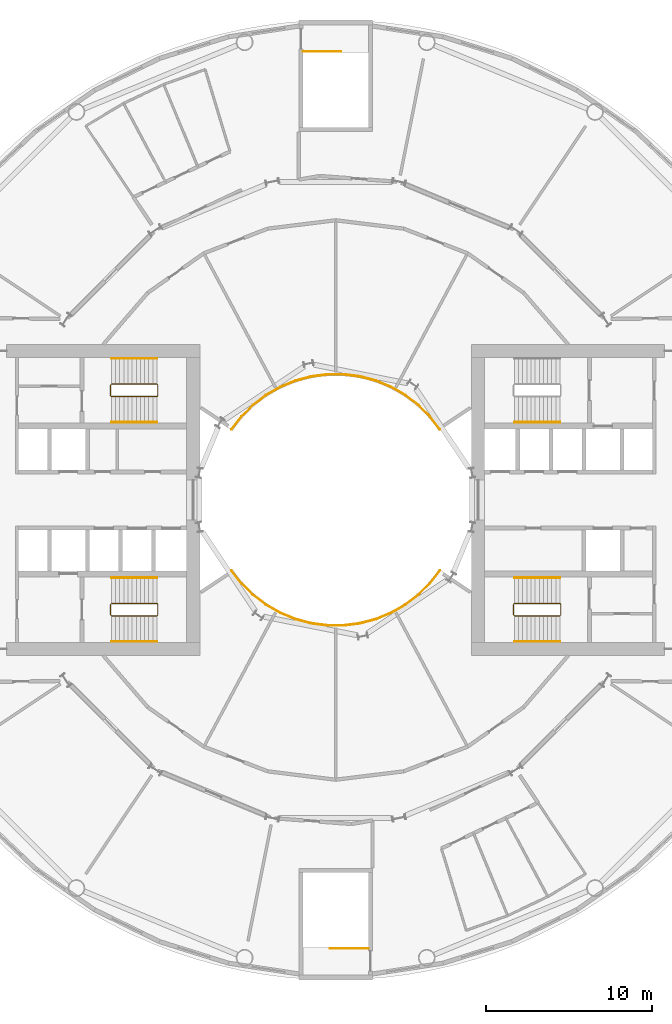
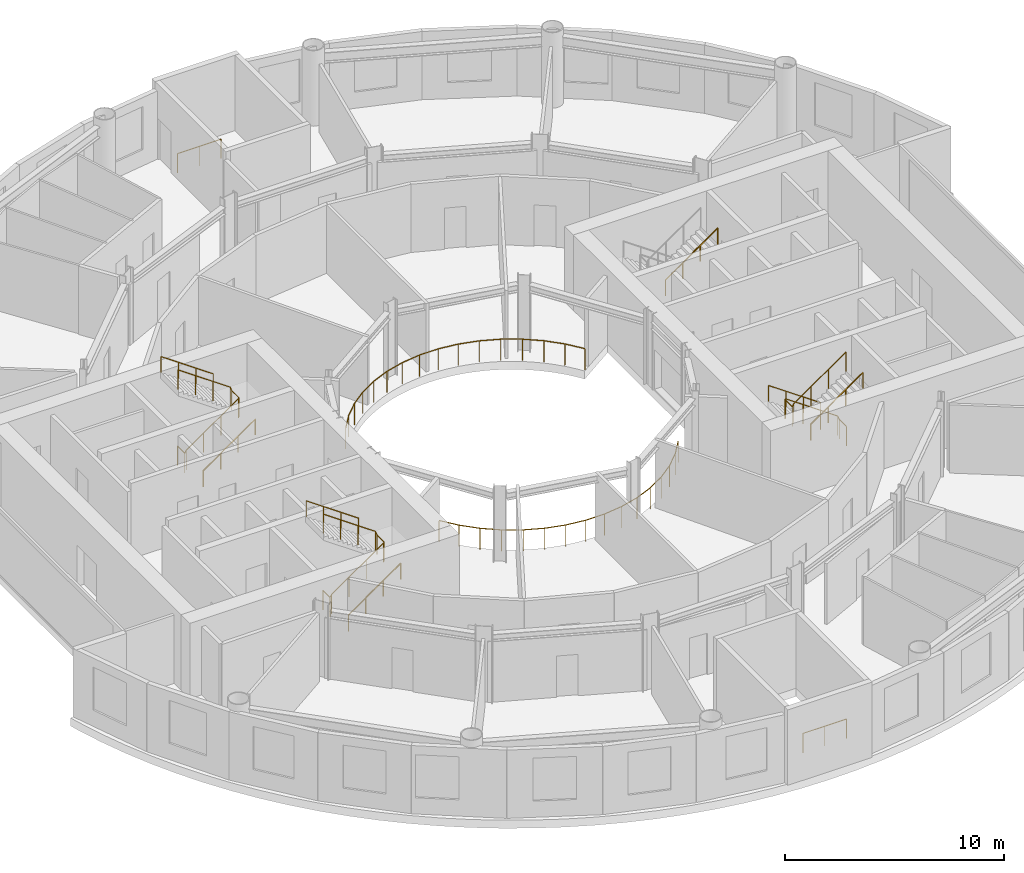
# One storey, part 12 of 13: 14 railings.
"""IFC4 building model written with IfcOpenShell, lengths in metres."""

from ifc_helpers import new_model, si_unit, direction, frame, origin, origin_2d, place, context, subcontext, project, spatial, circle, extrude, material, type_object, element, save


model = new_model("IFC4")

# Units and contexts
model_context = context("Model", 3, precision=1e-05, world=origin(), true_north=direction((0.0, 1.0)))
body_context = subcontext(model_context, "Body", "Model", "MODEL_VIEW")
ifc_project = project(units=[si_unit("LENGTHUNIT", "METRE"), si_unit("AREAUNIT", "SQUARE_METRE"), si_unit("VOLUMEUNIT", "CUBIC_METRE"), si_unit("PLANEANGLEUNIT", "RADIAN"), si_unit("MASSUNIT", "GRAM", prefix="KILO")], contexts=[model_context])

# Site, building, storey
site_placement = place(None, origin())
site = spatial("IfcSite", under=ifc_project, at=site_placement, CompositionType="ELEMENT")
building_placement = place(site_placement, origin())
building = spatial("IfcBuilding", under=site, at=building_placement, Name="Maasbend Ring Residences", CompositionType="ELEMENT")
storey_placement = place(building_placement, frame((0.0, 0.0, 14.10009765625)))
storey = spatial("IfcBuildingStorey", under=building, at=storey_placement, Name="L03", CompositionType="ELEMENT", Elevation=14.10009765625)

# Railings
ifc_material_1 = material(Name="Stainless steel 316 and glass", Category="steel")
railing_type_1 = type_object("IfcRailingType", Name="RL-GUARD", PredefinedType="GUARDRAIL", material=ifc_material_1)
railing_1_placement = place(storey_placement, frame((6.296875, 4.25537109375, 0.0)))
element("IfcRailing", 1, at=railing_1_placement, inside=storey, type_object=railing_type_1, Name="Well guard 1", PredefinedType="GUARDRAIL", context=body_context, shape_type="SweptSolid", body=[
    extrude(circle(Radius=0.02490234375, at=origin_2d()), frame((0.0, 0.0, 1.1748046875), z_axis=(-0.61260637429, 0.790388151593, 0.0), x_axis=(-0.790388151593, -0.61260637429, 0.0)), (0.0, 0.0, 1.0), 0.98876953125),
    extrude(circle(Radius=0.02490234375, at=origin_2d()), frame((-0.605712890625, 0.781494140625, 1.1748046875), z_axis=(-0.710063286319, 0.704137862511, 0.0), x_axis=(-0.704137862511, -0.710063286319, 0.0)), (0.0, 0.0, 1.0), 0.98876953125),
    extrude(circle(Radius=0.02490234375, at=origin_2d()), frame((-1.307861328125, 1.477783203125, 1.1748046875), z_axis=(-0.795414718638, 0.606065528944, 0.0), x_axis=(-0.606065528944, -0.795414718638, 0.0)), (0.0, 0.0, 1.0), 0.989013671875),
    extrude(circle(Radius=0.02490234375, at=origin_2d()), frame((-2.094482421875, 2.0771484375, 1.1748046875), z_axis=(-0.867436652983, 0.497547638987, 0.0), x_axis=(-0.497547638987, -0.867436652983, 0.0)), (0.0, 0.0, 1.0), 0.98876953125),
    extrude(circle(Radius=0.02490234375, at=origin_2d()), frame((-2.9521484375, 2.569091796875, 1.1748046875), z_axis=(-0.924683211941, 0.380737386599, 0.0), x_axis=(-0.380737386599, -0.924683211941, 0.0)), (0.0, 0.0, 1.0), 0.98876953125),
    extrude(circle(Radius=0.02490234375, at=origin_2d()), frame((-3.866455078125, 2.945556640625, 1.1748046875), z_axis=(-0.966279997956, 0.257493622348, 0.0), x_axis=(-0.257493622348, -0.966279997956, 0.0)), (0.0, 0.0, 1.0), 0.989013671875),
    extrude(circle(Radius=0.02490234375, at=origin_2d()), frame((-4.822021484375, 3.2001953125, 1.1748046875), z_axis=(-0.991531433773, 0.129866915878, 0.0), x_axis=(-0.129866915878, -0.991531433773, 0.0)), (0.0, 0.0, 1.0), 0.98876953125),
    extrude(circle(Radius=0.02490234375, at=origin_2d()), frame((-5.802490234375, 3.32861328125, 1.1748046875), z_axis=(-1.0, 0.0, 0.0), x_axis=(0.0, -1.0, 0.0)), (0.0, 0.0, 1.0), 0.98876953125),
    extrude(circle(Radius=0.02490234375, at=origin_2d()), frame((-6.791259765625, 3.32861328125, 1.1748046875), z_axis=(-0.991531433773, -0.129866915878, 0.0), x_axis=(0.129866915878, -0.991531433773, 0.0)), (0.0, 0.0, 1.0), 0.98876953125),
    extrude(circle(Radius=0.02490234375, at=origin_2d()), frame((-7.771728515625, 3.2001953125, 1.1748046875), z_axis=(-0.966279997956, -0.257493622348, 0.0), x_axis=(0.257493622348, -0.966279997956, 0.0)), (0.0, 0.0, 1.0), 0.989013671875),
    extrude(circle(Radius=0.02490234375, at=origin_2d()), frame((-8.727294921875, 2.945556640625, 1.1748046875), z_axis=(-0.924683211941, -0.380737386599, 0.0), x_axis=(0.380737386599, -0.924683211941, 0.0)), (0.0, 0.0, 1.0), 0.98876953125),
    extrude(circle(Radius=0.02490234375, at=origin_2d()), frame((-9.6416015625, 2.569091796875, 1.1748046875), z_axis=(-0.867436652983, -0.497547638987, 0.0), x_axis=(0.497547638987, -0.867436652983, 0.0)), (0.0, 0.0, 1.0), 0.98876953125),
    extrude(circle(Radius=0.02490234375, at=origin_2d()), frame((-10.499267578125, 2.0771484375, 1.1748046875), z_axis=(-0.795414718638, -0.606065528944, 0.0), x_axis=(0.606065528944, -0.795414718638, 0.0)), (0.0, 0.0, 1.0), 0.989013671875),
    extrude(circle(Radius=0.02490234375, at=origin_2d()), frame((-11.285888671875, 1.477783203125, 1.1748046875), z_axis=(-0.710063286319, -0.704137862511, 0.0), x_axis=(0.704137862511, -0.710063286319, 0.0)), (0.0, 0.0, 1.0), 0.98876953125),
    extrude(circle(Radius=0.02490234375, at=origin_2d()), frame((-11.988037109375, 0.781494140625, 1.1748046875), z_axis=(-0.61260637429, -0.790388151593, 0.0), x_axis=(0.790388151593, -0.61260637429, 0.0)), (0.0, 0.0, 1.0), 0.98876953125),
    extrude(circle(Radius=0.02001953125, at=origin_2d()), origin(), (0.0, 0.0, 1.0), 1.14990234375),
    extrude(circle(Radius=0.02001953125, at=origin_2d()), frame((-0.605712890625, 0.781494140625, 0.0)), (0.0, 0.0, 1.0), 1.14990234375),
    extrude(circle(Radius=0.02001953125, at=origin_2d()), frame((-1.307861328125, 1.477783203125, 0.0)), (0.0, 0.0, 1.0), 1.14990234375),
    extrude(circle(Radius=0.02001953125, at=origin_2d()), frame((-2.094482421875, 2.0771484375, 0.0)), (0.0, 0.0, 1.0), 1.14990234375),
    extrude(circle(Radius=0.02001953125, at=origin_2d()), frame((-2.9521484375, 2.569091796875, 0.0)), (0.0, 0.0, 1.0), 1.14990234375),
    extrude(circle(Radius=0.02001953125, at=origin_2d()), frame((-3.866455078125, 2.945556640625, 0.0)), (0.0, 0.0, 1.0), 1.14990234375),
    extrude(circle(Radius=0.02001953125, at=origin_2d()), frame((-4.822021484375, 3.2001953125, 0.0)), (0.0, 0.0, 1.0), 1.14990234375),
    extrude(circle(Radius=0.02001953125, at=origin_2d()), frame((-5.802490234375, 3.32861328125, 0.0)), (0.0, 0.0, 1.0), 1.14990234375),
    extrude(circle(Radius=0.02001953125, at=origin_2d()), frame((-6.791259765625, 3.32861328125, 0.0)), (0.0, 0.0, 1.0), 1.14990234375),
    extrude(circle(Radius=0.02001953125, at=origin_2d()), frame((-7.771728515625, 3.2001953125, 0.0)), (0.0, 0.0, 1.0), 1.14990234375),
    extrude(circle(Radius=0.02001953125, at=origin_2d()), frame((-8.727294921875, 2.945556640625, 0.0)), (0.0, 0.0, 1.0), 1.14990234375),
    extrude(circle(Radius=0.02001953125, at=origin_2d()), frame((-9.6416015625, 2.569091796875, 0.0)), (0.0, 0.0, 1.0), 1.14990234375),
    extrude(circle(Radius=0.02001953125, at=origin_2d()), frame((-10.499267578125, 2.0771484375, 0.0)), (0.0, 0.0, 1.0), 1.14990234375),
    extrude(circle(Radius=0.02001953125, at=origin_2d()), frame((-11.285888671875, 1.477783203125, 0.0)), (0.0, 0.0, 1.0), 1.14990234375),
    extrude(circle(Radius=0.02001953125, at=origin_2d()), frame((-11.988037109375, 0.781494140625, 0.0)), (0.0, 0.0, 1.0), 1.14990234375),
    extrude(circle(Radius=0.02001953125, at=origin_2d()), frame((-12.59375, 0.0, 0.0)), (0.0, 0.0, 1.0), 1.14990234375),
])
railing_2_placement = place(storey_placement, frame((-6.296875, -4.25537109375, 0.0)))
element("IfcRailing", 2, at=railing_2_placement, inside=storey, type_object=railing_type_1, Name="Well guard 2", PredefinedType="GUARDRAIL", context=body_context, shape_type="SweptSolid", body=[
    extrude(circle(Radius=0.02490234375, at=origin_2d()), frame((0.0, 0.0, 1.1748046875), z_axis=(0.61260637429, -0.790388151593, 0.0), x_axis=(0.790388151593, 0.61260637429, 0.0)), (0.0, 0.0, 1.0), 0.98876953125),
    extrude(circle(Radius=0.02490234375, at=origin_2d()), frame((0.605712890625, -0.781494140625, 1.1748046875), z_axis=(0.710063286319, -0.704137862511, 0.0), x_axis=(0.704137862511, 0.710063286319, 0.0)), (0.0, 0.0, 1.0), 0.98876953125),
    extrude(circle(Radius=0.02490234375, at=origin_2d()), frame((1.307861328125, -1.477783203125, 1.1748046875), z_axis=(0.795414718638, -0.606065528944, 0.0), x_axis=(0.606065528944, 0.795414718638, 0.0)), (0.0, 0.0, 1.0), 0.989013671875),
    extrude(circle(Radius=0.02490234375, at=origin_2d()), frame((2.094482421875, -2.0771484375, 1.1748046875), z_axis=(0.867436652983, -0.497547638987, 0.0), x_axis=(0.497547638987, 0.867436652983, 0.0)), (0.0, 0.0, 1.0), 0.98876953125),
    extrude(circle(Radius=0.02490234375, at=origin_2d()), frame((2.9521484375, -2.569091796875, 1.1748046875), z_axis=(0.924683211941, -0.380737386599, 0.0), x_axis=(0.380737386599, 0.924683211941, 0.0)), (0.0, 0.0, 1.0), 0.98876953125),
    extrude(circle(Radius=0.02490234375, at=origin_2d()), frame((3.866455078125, -2.945556640625, 1.1748046875), z_axis=(0.966279997956, -0.257493622348, 0.0), x_axis=(0.257493622348, 0.966279997956, 0.0)), (0.0, 0.0, 1.0), 0.989013671875),
    extrude(circle(Radius=0.02490234375, at=origin_2d()), frame((4.822021484375, -3.2001953125, 1.1748046875), z_axis=(0.991531433773, -0.129866915878, 0.0), x_axis=(0.129866915878, 0.991531433773, 0.0)), (0.0, 0.0, 1.0), 0.98876953125),
    extrude(circle(Radius=0.02490234375, at=origin_2d()), frame((5.802490234375, -3.32861328125, 1.1748046875), z_axis=(1.0, 0.0, 0.0), x_axis=(0.0, 1.0, 0.0)), (0.0, 0.0, 1.0), 0.98876953125),
    extrude(circle(Radius=0.02490234375, at=origin_2d()), frame((6.791259765625, -3.32861328125, 1.1748046875), z_axis=(0.991531433773, 0.129866915878, 0.0), x_axis=(-0.129866915878, 0.991531433773, 0.0)), (0.0, 0.0, 1.0), 0.98876953125),
    extrude(circle(Radius=0.02490234375, at=origin_2d()), frame((7.771728515625, -3.2001953125, 1.1748046875), z_axis=(0.966279997956, 0.257493622348, 0.0), x_axis=(-0.257493622348, 0.966279997956, 0.0)), (0.0, 0.0, 1.0), 0.989013671875),
    extrude(circle(Radius=0.02490234375, at=origin_2d()), frame((8.727294921875, -2.945556640625, 1.1748046875), z_axis=(0.924683211941, 0.380737386599, 0.0), x_axis=(-0.380737386599, 0.924683211941, 0.0)), (0.0, 0.0, 1.0), 0.98876953125),
    extrude(circle(Radius=0.02490234375, at=origin_2d()), frame((9.6416015625, -2.569091796875, 1.1748046875), z_axis=(0.867436652983, 0.497547638987, 0.0), x_axis=(-0.497547638987, 0.867436652983, 0.0)), (0.0, 0.0, 1.0), 0.98876953125),
    extrude(circle(Radius=0.02490234375, at=origin_2d()), frame((10.499267578125, -2.0771484375, 1.1748046875), z_axis=(0.795414718638, 0.606065528944, 0.0), x_axis=(-0.606065528944, 0.795414718638, 0.0)), (0.0, 0.0, 1.0), 0.989013671875),
    extrude(circle(Radius=0.02490234375, at=origin_2d()), frame((11.285888671875, -1.477783203125, 1.1748046875), z_axis=(0.710063286319, 0.704137862511, 0.0), x_axis=(-0.704137862511, 0.710063286319, 0.0)), (0.0, 0.0, 1.0), 0.98876953125),
    extrude(circle(Radius=0.02490234375, at=origin_2d()), frame((11.988037109375, -0.781494140625, 1.1748046875), z_axis=(0.61260637429, 0.790388151593, 0.0), x_axis=(-0.790388151593, 0.61260637429, 0.0)), (0.0, 0.0, 1.0), 0.98876953125),
    extrude(circle(Radius=0.02001953125, at=origin_2d()), origin(), (0.0, 0.0, 1.0), 1.14990234375),
    extrude(circle(Radius=0.02001953125, at=origin_2d()), frame((0.605712890625, -0.781494140625, 0.0)), (0.0, 0.0, 1.0), 1.14990234375),
    extrude(circle(Radius=0.02001953125, at=origin_2d()), frame((1.307861328125, -1.477783203125, 0.0)), (0.0, 0.0, 1.0), 1.14990234375),
    extrude(circle(Radius=0.02001953125, at=origin_2d()), frame((2.094482421875, -2.0771484375, 0.0)), (0.0, 0.0, 1.0), 1.14990234375),
    extrude(circle(Radius=0.02001953125, at=origin_2d()), frame((2.9521484375, -2.569091796875, 0.0)), (0.0, 0.0, 1.0), 1.14990234375),
    extrude(circle(Radius=0.02001953125, at=origin_2d()), frame((3.866455078125, -2.945556640625, 0.0)), (0.0, 0.0, 1.0), 1.14990234375),
    extrude(circle(Radius=0.02001953125, at=origin_2d()), frame((4.822021484375, -3.2001953125, 0.0)), (0.0, 0.0, 1.0), 1.14990234375),
    extrude(circle(Radius=0.02001953125, at=origin_2d()), frame((5.802490234375, -3.32861328125, 0.0)), (0.0, 0.0, 1.0), 1.14990234375),
    extrude(circle(Radius=0.02001953125, at=origin_2d()), frame((6.791259765625, -3.32861328125, 0.0)), (0.0, 0.0, 1.0), 1.14990234375),
    extrude(circle(Radius=0.02001953125, at=origin_2d()), frame((7.771728515625, -3.2001953125, 0.0)), (0.0, 0.0, 1.0), 1.14990234375),
    extrude(circle(Radius=0.02001953125, at=origin_2d()), frame((8.727294921875, -2.945556640625, 0.0)), (0.0, 0.0, 1.0), 1.14990234375),
    extrude(circle(Radius=0.02001953125, at=origin_2d()), frame((9.6416015625, -2.569091796875, 0.0)), (0.0, 0.0, 1.0), 1.14990234375),
    extrude(circle(Radius=0.02001953125, at=origin_2d()), frame((10.499267578125, -2.0771484375, 0.0)), (0.0, 0.0, 1.0), 1.14990234375),
    extrude(circle(Radius=0.02001953125, at=origin_2d()), frame((11.285888671875, -1.477783203125, 0.0)), (0.0, 0.0, 1.0), 1.14990234375),
    extrude(circle(Radius=0.02001953125, at=origin_2d()), frame((11.988037109375, -0.781494140625, 0.0)), (0.0, 0.0, 1.0), 1.14990234375),
    extrude(circle(Radius=0.02001953125, at=origin_2d()), frame((12.59375, 0.0, 0.0)), (0.0, 0.0, 1.0), 1.14990234375),
])
ifc_material_2 = material(Name="Stainless steel 316", Category="steel")
railing_type_2 = type_object("IfcRailingType", Name="STAIR GUARD 1100", PredefinedType="GUARDRAIL", material=ifc_material_2)
railing_3_placement = place(storey_placement, frame((13.60009765625, -6.949951171875, 0.0)))
element("IfcRailing", 3, at=railing_3_placement, inside=storey, type_object=railing_type_2, Name="L03 ST-E2 stair guard 1", PredefinedType="GUARDRAIL", context=body_context, shape_type="SweptSolid", body=[
    extrude(circle(Radius=0.02392578125, at=origin_2d()), frame((0.0, 0.0, 1.076171875), z_axis=(0.0, 1.0, 0.0), x_axis=(-1.0, 0.0, 0.0)), (0.0, 0.0, 1.0), 0.64990234375),
    extrude(circle(Radius=0.02392578125, at=origin_2d()), frame((0.0, 0.64990234375, 1.076171875), z_axis=(-0.265383341853, 0.265383341853, 0.926899867156), x_axis=(-0.707106781187, -0.707106781187, 0.0)), (0.0, 0.0, 1.0), 0.1884765625),
    extrude(circle(Radius=0.02392578125, at=origin_2d()), frame((-0.050048828125, 0.699951171875, 1.2509765625), z_axis=(-0.819225086817, 0.0, 0.573472106672), x_axis=(0.0, -1.0, 0.0)), (0.0, 0.0, 1.0), 3.35693359375),
    extrude(circle(Radius=0.02392578125, at=origin_2d()), frame((-2.800048828125, 0.699951171875, 3.17578125), z_axis=(-0.707106781187, -0.707106781187, 0.0), x_axis=(0.707106781187, -0.707106781187, 0.0)), (0.0, 0.0, 1.0), 0.07080078125),
    extrude(circle(Radius=0.02392578125, at=origin_2d()), frame((-2.85009765625, 0.64990234375, 3.17578125), z_axis=(0.0, -1.0, 0.0), x_axis=(1.0, 0.0, 0.0)), (0.0, 0.0, 1.0), 0.64990234375),
    extrude(circle(Radius=0.02392578125, at=origin_2d()), frame((-2.85009765625, 0.0, 3.17578125), z_axis=(0.265065253269, -0.265065253269, 0.927081885822), x_axis=(0.707106781187, 0.707106781187, 0.0)), (0.0, 0.0, 1.0), 0.188720703125),
    extrude(circle(Radius=0.02392578125, at=origin_2d()), frame((-2.800048828125, -0.050048828125, 3.35107421875), z_axis=(0.819225086817, 0.0, 0.573472106672), x_axis=(0.0, 1.0, 0.0)), (0.0, 0.0, 1.0), 3.35693359375),
    extrude(circle(Radius=0.02099609375, at=origin_2d()), origin(), (0.0, 0.0, 1.0), 1.052001953125),
    extrude(circle(Radius=0.02099609375, at=origin_2d()), frame((0.0, 0.64990234375, 0.0)), (0.0, 0.0, 1.0), 1.052001953125),
    extrude(circle(Radius=0.02099609375, at=origin_2d()), frame((-0.050048828125, 0.699951171875, 0.1748046875)), (0.0, 0.0, 1.0), 1.052001953125),
    extrude(circle(Radius=0.02099609375, at=origin_2d()), frame((-0.966796875, 0.699951171875, 0.81640625)), (0.0, 0.0, 1.0), 1.052001953125),
    extrude(circle(Radius=0.02099609375, at=origin_2d()), frame((-1.88330078125, 0.699951171875, 1.458251953125)), (0.0, 0.0, 1.0), 1.052001953125),
    extrude(circle(Radius=0.02099609375, at=origin_2d()), frame((-2.800048828125, 0.699951171875, 2.099853515625)), (0.0, 0.0, 1.0), 1.052001953125),
    extrude(circle(Radius=0.02099609375, at=origin_2d()), frame((-2.85009765625, 0.64990234375, 2.099853515625)), (0.0, 0.0, 1.0), 1.052001953125),
    extrude(circle(Radius=0.02099609375, at=origin_2d()), frame((-2.85009765625, 0.0, 2.099853515625)), (0.0, 0.0, 1.0), 1.052001953125),
    extrude(circle(Radius=0.02099609375, at=origin_2d()), frame((-2.800048828125, -0.050048828125, 2.27490234375)), (0.0, 0.0, 1.0), 1.052001953125),
    extrude(circle(Radius=0.02099609375, at=origin_2d()), frame((-1.88330078125, -0.050048828125, 2.91650390625)), (0.0, 0.0, 1.0), 1.052001953125),
    extrude(circle(Radius=0.02099609375, at=origin_2d()), frame((-0.966796875, -0.050048828125, 3.558349609375)), (0.0, 0.0, 1.0), 1.052001953125),
    extrude(circle(Radius=0.02099609375, at=origin_2d()), frame((-0.050048828125, -0.050048828125, 4.199951171875)), (0.0, 0.0, 1.0), 1.052001953125),
])
railing_4_placement = place(storey_placement, frame((-13.60009765625, -6.300048828125, 0.0)))
element("IfcRailing", 4, at=railing_4_placement, inside=storey, type_object=railing_type_2, Name="L03 ST-W1 stair guard 1", PredefinedType="GUARDRAIL", context=body_context, shape_type="SweptSolid", body=[
    extrude(circle(Radius=0.02392578125, at=origin_2d()), frame((0.0, 0.0, 1.076171875), z_axis=(0.0, -1.0, 0.0), x_axis=(1.0, 0.0, 0.0)), (0.0, 0.0, 1.0), 0.64990234375),
    extrude(circle(Radius=0.02392578125, at=origin_2d()), frame((0.0, -0.64990234375, 1.076171875), z_axis=(0.265383341853, -0.265383341853, 0.926899867156), x_axis=(0.707106781187, 0.707106781187, 0.0)), (0.0, 0.0, 1.0), 0.1884765625),
    extrude(circle(Radius=0.02392578125, at=origin_2d()), frame((0.050048828125, -0.699951171875, 1.2509765625), z_axis=(0.819225086817, 0.0, 0.573472106672), x_axis=(0.0, 1.0, 0.0)), (0.0, 0.0, 1.0), 3.35693359375),
    extrude(circle(Radius=0.02392578125, at=origin_2d()), frame((2.800048828125, -0.699951171875, 3.17578125), z_axis=(0.707106781187, 0.707106781187, 0.0), x_axis=(-0.707106781187, 0.707106781187, 0.0)), (0.0, 0.0, 1.0), 0.07080078125),
    extrude(circle(Radius=0.02392578125, at=origin_2d()), frame((2.85009765625, -0.64990234375, 3.17578125), z_axis=(0.0, 1.0, 0.0), x_axis=(-1.0, 0.0, 0.0)), (0.0, 0.0, 1.0), 0.64990234375),
    extrude(circle(Radius=0.02392578125, at=origin_2d()), frame((2.85009765625, 0.0, 3.17578125), z_axis=(-0.265065253269, 0.265065253269, 0.927081885822), x_axis=(-0.707106781187, -0.707106781187, 0.0)), (0.0, 0.0, 1.0), 0.188720703125),
    extrude(circle(Radius=0.02392578125, at=origin_2d()), frame((2.800048828125, 0.050048828125, 3.35107421875), z_axis=(-0.819225086817, 0.0, 0.573472106672), x_axis=(0.0, -1.0, 0.0)), (0.0, 0.0, 1.0), 3.35693359375),
    extrude(circle(Radius=0.02099609375, at=origin_2d()), origin(), (0.0, 0.0, 1.0), 1.052001953125),
    extrude(circle(Radius=0.02099609375, at=origin_2d()), frame((0.0, -0.64990234375, 0.0)), (0.0, 0.0, 1.0), 1.052001953125),
    extrude(circle(Radius=0.02099609375, at=origin_2d()), frame((0.050048828125, -0.699951171875, 0.1748046875)), (0.0, 0.0, 1.0), 1.052001953125),
    extrude(circle(Radius=0.02099609375, at=origin_2d()), frame((0.966796875, -0.699951171875, 0.81640625)), (0.0, 0.0, 1.0), 1.052001953125),
    extrude(circle(Radius=0.02099609375, at=origin_2d()), frame((1.88330078125, -0.699951171875, 1.458251953125)), (0.0, 0.0, 1.0), 1.052001953125),
    extrude(circle(Radius=0.02099609375, at=origin_2d()), frame((2.800048828125, -0.699951171875, 2.099853515625)), (0.0, 0.0, 1.0), 1.052001953125),
    extrude(circle(Radius=0.02099609375, at=origin_2d()), frame((2.85009765625, -0.64990234375, 2.099853515625)), (0.0, 0.0, 1.0), 1.052001953125),
    extrude(circle(Radius=0.02099609375, at=origin_2d()), frame((2.85009765625, 0.0, 2.099853515625)), (0.0, 0.0, 1.0), 1.052001953125),
    extrude(circle(Radius=0.02099609375, at=origin_2d()), frame((2.800048828125, 0.050048828125, 2.27490234375)), (0.0, 0.0, 1.0), 1.052001953125),
    extrude(circle(Radius=0.02099609375, at=origin_2d()), frame((1.88330078125, 0.050048828125, 2.91650390625)), (0.0, 0.0, 1.0), 1.052001953125),
    extrude(circle(Radius=0.02099609375, at=origin_2d()), frame((0.966796875, 0.050048828125, 3.558349609375)), (0.0, 0.0, 1.0), 1.052001953125),
    extrude(circle(Radius=0.02099609375, at=origin_2d()), frame((0.050048828125, 0.050048828125, 4.199951171875)), (0.0, 0.0, 1.0), 1.052001953125),
])
railing_5_placement = place(storey_placement, frame((-13.60009765625, 6.949951171875, 0.0)))
element("IfcRailing", 5, at=railing_5_placement, inside=storey, type_object=railing_type_2, Name="L03 ST-W2 stair guard 1", PredefinedType="GUARDRAIL", context=body_context, shape_type="SweptSolid", body=[
    extrude(circle(Radius=0.02392578125, at=origin_2d()), frame((0.0, 0.0, 1.076171875), z_axis=(0.0, -1.0, 0.0), x_axis=(1.0, 0.0, 0.0)), (0.0, 0.0, 1.0), 0.64990234375),
    extrude(circle(Radius=0.02392578125, at=origin_2d()), frame((0.0, -0.64990234375, 1.076171875), z_axis=(0.265383341853, -0.265383341853, 0.926899867156), x_axis=(0.707106781187, 0.707106781187, 0.0)), (0.0, 0.0, 1.0), 0.1884765625),
    extrude(circle(Radius=0.02392578125, at=origin_2d()), frame((0.050048828125, -0.699951171875, 1.2509765625), z_axis=(0.819225086817, 0.0, 0.573472106672), x_axis=(0.0, 1.0, 0.0)), (0.0, 0.0, 1.0), 3.35693359375),
    extrude(circle(Radius=0.02392578125, at=origin_2d()), frame((2.800048828125, -0.699951171875, 3.17578125), z_axis=(0.707106781187, 0.707106781187, 0.0), x_axis=(-0.707106781187, 0.707106781187, 0.0)), (0.0, 0.0, 1.0), 0.07080078125),
    extrude(circle(Radius=0.02392578125, at=origin_2d()), frame((2.85009765625, -0.64990234375, 3.17578125), z_axis=(0.0, 1.0, 0.0), x_axis=(-1.0, 0.0, 0.0)), (0.0, 0.0, 1.0), 0.64990234375),
    extrude(circle(Radius=0.02392578125, at=origin_2d()), frame((2.85009765625, 0.0, 3.17578125), z_axis=(-0.265065253269, 0.265065253269, 0.927081885822), x_axis=(-0.707106781187, -0.707106781187, 0.0)), (0.0, 0.0, 1.0), 0.188720703125),
    extrude(circle(Radius=0.02392578125, at=origin_2d()), frame((2.800048828125, 0.050048828125, 3.35107421875), z_axis=(-0.819225086817, 0.0, 0.573472106672), x_axis=(0.0, -1.0, 0.0)), (0.0, 0.0, 1.0), 3.35693359375),
    extrude(circle(Radius=0.02099609375, at=origin_2d()), origin(), (0.0, 0.0, 1.0), 1.052001953125),
    extrude(circle(Radius=0.02099609375, at=origin_2d()), frame((0.0, -0.64990234375, 0.0)), (0.0, 0.0, 1.0), 1.052001953125),
    extrude(circle(Radius=0.02099609375, at=origin_2d()), frame((0.050048828125, -0.699951171875, 0.1748046875)), (0.0, 0.0, 1.0), 1.052001953125),
    extrude(circle(Radius=0.02099609375, at=origin_2d()), frame((0.966796875, -0.699951171875, 0.81640625)), (0.0, 0.0, 1.0), 1.052001953125),
    extrude(circle(Radius=0.02099609375, at=origin_2d()), frame((1.88330078125, -0.699951171875, 1.458251953125)), (0.0, 0.0, 1.0), 1.052001953125),
    extrude(circle(Radius=0.02099609375, at=origin_2d()), frame((2.800048828125, -0.699951171875, 2.099853515625)), (0.0, 0.0, 1.0), 1.052001953125),
    extrude(circle(Radius=0.02099609375, at=origin_2d()), frame((2.85009765625, -0.64990234375, 2.099853515625)), (0.0, 0.0, 1.0), 1.052001953125),
    extrude(circle(Radius=0.02099609375, at=origin_2d()), frame((2.85009765625, 0.0, 2.099853515625)), (0.0, 0.0, 1.0), 1.052001953125),
    extrude(circle(Radius=0.02099609375, at=origin_2d()), frame((2.800048828125, 0.050048828125, 2.27490234375)), (0.0, 0.0, 1.0), 1.052001953125),
    extrude(circle(Radius=0.02099609375, at=origin_2d()), frame((1.88330078125, 0.050048828125, 2.91650390625)), (0.0, 0.0, 1.0), 1.052001953125),
    extrude(circle(Radius=0.02099609375, at=origin_2d()), frame((0.966796875, 0.050048828125, 3.558349609375)), (0.0, 0.0, 1.0), 1.052001953125),
    extrude(circle(Radius=0.02099609375, at=origin_2d()), frame((0.050048828125, 0.050048828125, 4.199951171875)), (0.0, 0.0, 1.0), 1.052001953125),
])
railing_6_placement = place(storey_placement, frame((1.97509765625, -27.10009765625, 0.0)))
element("IfcRailing", 6, at=railing_6_placement, inside=storey, type_object=railing_type_2, Name="L03 ST-P3 top well guard 1", PredefinedType="GUARDRAIL", context=body_context, shape_type="SweptSolid", body=[
    extrude(circle(Radius=0.02392578125, at=origin_2d()), frame((0.0, 0.0, 1.076171875), z_axis=(-1.0, 0.0, 0.0), x_axis=(0.0, -1.0, 0.0)), (0.0, 0.0, 1.0), 2.300048828125),
    extrude(circle(Radius=0.02099609375, at=origin_2d()), origin(), (0.0, 0.0, 1.0), 1.052001953125),
    extrude(circle(Radius=0.02099609375, at=origin_2d()), frame((-1.14990234375, 0.0, 0.0)), (0.0, 0.0, 1.0), 1.052001953125),
    extrude(circle(Radius=0.02099609375, at=origin_2d()), frame((-2.300048828125, 0.0, 0.0)), (0.0, 0.0, 1.0), 1.052001953125),
])
railing_7_placement = place(storey_placement, frame((-1.97509765625, 27.10009765625, 0.0)))
element("IfcRailing", 7, at=railing_7_placement, inside=storey, type_object=railing_type_2, Name="L03 ST-P4 top well guard 1", PredefinedType="GUARDRAIL", context=body_context, shape_type="SweptSolid", body=[
    extrude(circle(Radius=0.02392578125, at=origin_2d()), frame((0.0, 0.0, 1.076171875), z_axis=(1.0, 0.0, 0.0), x_axis=(0.0, 1.0, 0.0)), (0.0, 0.0, 1.0), 2.300048828125),
    extrude(circle(Radius=0.02099609375, at=origin_2d()), origin(), (0.0, 0.0, 1.0), 1.052001953125),
    extrude(circle(Radius=0.02099609375, at=origin_2d()), frame((1.14990234375, 0.0, 0.0)), (0.0, 0.0, 1.0), 1.052001953125),
    extrude(circle(Radius=0.02099609375, at=origin_2d()), frame((2.300048828125, 0.0, 0.0)), (0.0, 0.0, 1.0), 1.052001953125),
])
ifc_material_3 = material(Name="Stainless steel 316", Category="steel")
railing_type_3 = type_object("IfcRailingType", Name="STAIR HANDRAIL 900", PredefinedType="HANDRAIL", material=ifc_material_3)
railing_8_placement = place(storey_placement, frame((10.800048828125, 4.699951171875, 2.27490234375)))
element("IfcRailing", 8, at=railing_8_placement, inside=storey, type_object=railing_type_3, Name="L03 ST-E1 stair handrail 2", PredefinedType="HANDRAIL", context=body_context, shape_type="SweptSolid", body=[
    extrude(circle(Radius=0.02392578125, at=origin_2d()), frame((0.0, 0.0, 0.8759765625), z_axis=(0.819225086817, 0.0, 0.573472106672), x_axis=(0.0, 1.0, 0.0)), (0.0, 0.0, 1.0), 3.35693359375),
    extrude(circle(Radius=0.02099609375, at=origin_2d()), origin(), (0.0, 0.0, 1.0), 0.851806640625),
    extrude(circle(Radius=0.02099609375, at=origin_2d()), frame((0.916748046875, 0.0, 0.6416015625)), (0.0, 0.0, 1.0), 0.851806640625),
    extrude(circle(Radius=0.02099609375, at=origin_2d()), frame((1.833251953125, 0.0, 1.283447265625)), (0.0, 0.0, 1.0), 0.851806640625),
    extrude(circle(Radius=0.02099609375, at=origin_2d()), frame((2.75, 0.0, 1.925048828125)), (0.0, 0.0, 1.0), 0.851806640625),
])
railing_9_placement = place(storey_placement, frame((13.550048828125, -4.699951171875, 0.1748046875)))
element("IfcRailing", 9, at=railing_9_placement, inside=storey, type_object=railing_type_3, Name="L03 ST-E2 stair handrail 1", PredefinedType="HANDRAIL", context=body_context, shape_type="SweptSolid", body=[
    extrude(circle(Radius=0.02392578125, at=origin_2d()), frame((0.0, 0.0, 0.8759765625), z_axis=(-0.819225086817, 0.0, 0.573472106672), x_axis=(0.0, -1.0, 0.0)), (0.0, 0.0, 1.0), 3.35693359375),
    extrude(circle(Radius=0.02099609375, at=origin_2d()), origin(), (0.0, 0.0, 1.0), 0.851806640625),
    extrude(circle(Radius=0.02099609375, at=origin_2d()), frame((-0.916748046875, 0.0, 0.6416015625)), (0.0, 0.0, 1.0), 0.851806640625),
    extrude(circle(Radius=0.02099609375, at=origin_2d()), frame((-1.833251953125, 0.0, 1.283447265625)), (0.0, 0.0, 1.0), 0.851806640625),
    extrude(circle(Radius=0.02099609375, at=origin_2d()), frame((-2.75, 0.0, 1.925048828125)), (0.0, 0.0, 1.0), 0.851806640625),
])
for number, where, name in (
    (10, (10.800048828125, -8.550048828125, 2.27490234375), "L03 ST-E2 stair handrail 2"),
    (11, (-13.550048828125, -8.550048828125, 0.1748046875), "L03 ST-W1 stair handrail 1"),
):
    element("IfcRailing", number, at=place(storey_placement, frame(where)), inside=storey, type_object=railing_type_3, Name=name, PredefinedType="HANDRAIL", context=body_context, shape_type="SweptSolid", body=[
        extrude(circle(Radius=0.02392578125, at=origin_2d()), frame((0.0, 0.0, 0.8759765625), z_axis=(0.819225086817, 0.0, 0.573472106672), x_axis=(0.0, 1.0, 0.0)), (0.0, 0.0, 1.0), 3.35693359375),
        extrude(circle(Radius=0.02099609375, at=origin_2d()), origin(), (0.0, 0.0, 1.0), 0.851806640625),
        extrude(circle(Radius=0.02099609375, at=origin_2d()), frame((0.916748046875, 0.0, 0.6416015625)), (0.0, 0.0, 1.0), 0.851806640625),
        extrude(circle(Radius=0.02099609375, at=origin_2d()), frame((1.833251953125, 0.0, 1.283447265625)), (0.0, 0.0, 1.0), 0.851806640625),
        extrude(circle(Radius=0.02099609375, at=origin_2d()), frame((2.75, 0.0, 1.925048828125)), (0.0, 0.0, 1.0), 0.851806640625),
    ])
railing_10_placement = place(storey_placement, frame((-10.800048828125, -4.699951171875, 2.27490234375)))
element("IfcRailing", 12, at=railing_10_placement, inside=storey, type_object=railing_type_3, Name="L03 ST-W1 stair handrail 2", PredefinedType="HANDRAIL", context=body_context, shape_type="SweptSolid", body=[
    extrude(circle(Radius=0.02392578125, at=origin_2d()), frame((0.0, 0.0, 0.8759765625), z_axis=(-0.819225086817, 0.0, 0.573472106672), x_axis=(0.0, -1.0, 0.0)), (0.0, 0.0, 1.0), 3.35693359375),
    extrude(circle(Radius=0.02099609375, at=origin_2d()), origin(), (0.0, 0.0, 1.0), 0.851806640625),
    extrude(circle(Radius=0.02099609375, at=origin_2d()), frame((-0.916748046875, 0.0, 0.6416015625)), (0.0, 0.0, 1.0), 0.851806640625),
    extrude(circle(Radius=0.02099609375, at=origin_2d()), frame((-1.833251953125, 0.0, 1.283447265625)), (0.0, 0.0, 1.0), 0.851806640625),
    extrude(circle(Radius=0.02099609375, at=origin_2d()), frame((-2.75, 0.0, 1.925048828125)), (0.0, 0.0, 1.0), 0.851806640625),
])
railing_11_placement = place(storey_placement, frame((-13.550048828125, 4.699951171875, 0.1748046875)))
element("IfcRailing", 13, at=railing_11_placement, inside=storey, type_object=railing_type_3, Name="L03 ST-W2 stair handrail 1", PredefinedType="HANDRAIL", context=body_context, shape_type="SweptSolid", body=[
    extrude(circle(Radius=0.02392578125, at=origin_2d()), frame((0.0, 0.0, 0.8759765625), z_axis=(0.819225086817, 0.0, 0.573472106672), x_axis=(0.0, 1.0, 0.0)), (0.0, 0.0, 1.0), 3.35693359375),
    extrude(circle(Radius=0.02099609375, at=origin_2d()), origin(), (0.0, 0.0, 1.0), 0.851806640625),
    extrude(circle(Radius=0.02099609375, at=origin_2d()), frame((0.916748046875, 0.0, 0.6416015625)), (0.0, 0.0, 1.0), 0.851806640625),
    extrude(circle(Radius=0.02099609375, at=origin_2d()), frame((1.833251953125, 0.0, 1.283447265625)), (0.0, 0.0, 1.0), 0.851806640625),
    extrude(circle(Radius=0.02099609375, at=origin_2d()), frame((2.75, 0.0, 1.925048828125)), (0.0, 0.0, 1.0), 0.851806640625),
])
railing_12_placement = place(storey_placement, frame((-10.800048828125, 8.550048828125, 2.27490234375)))
element("IfcRailing", 14, at=railing_12_placement, inside=storey, type_object=railing_type_3, Name="L03 ST-W2 stair handrail 2", PredefinedType="HANDRAIL", context=body_context, shape_type="SweptSolid", body=[
    extrude(circle(Radius=0.02392578125, at=origin_2d()), frame((0.0, 0.0, 0.8759765625), z_axis=(-0.819225086817, 0.0, 0.573472106672), x_axis=(0.0, -1.0, 0.0)), (0.0, 0.0, 1.0), 3.35693359375),
    extrude(circle(Radius=0.02099609375, at=origin_2d()), origin(), (0.0, 0.0, 1.0), 0.851806640625),
    extrude(circle(Radius=0.02099609375, at=origin_2d()), frame((-0.916748046875, 0.0, 0.6416015625)), (0.0, 0.0, 1.0), 0.851806640625),
    extrude(circle(Radius=0.02099609375, at=origin_2d()), frame((-1.833251953125, 0.0, 1.283447265625)), (0.0, 0.0, 1.0), 0.851806640625),
    extrude(circle(Radius=0.02099609375, at=origin_2d()), frame((-2.75, 0.0, 1.925048828125)), (0.0, 0.0, 1.0), 0.851806640625),
])

save(model, "model.ifc")
